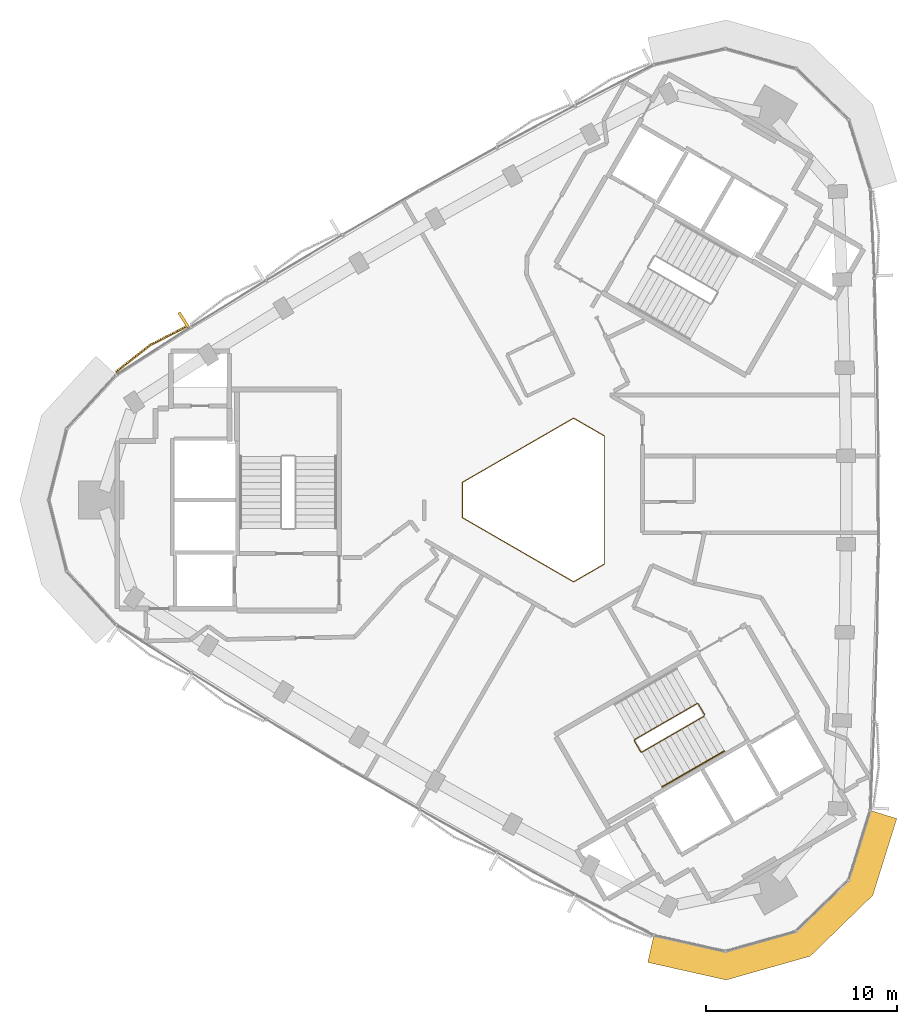
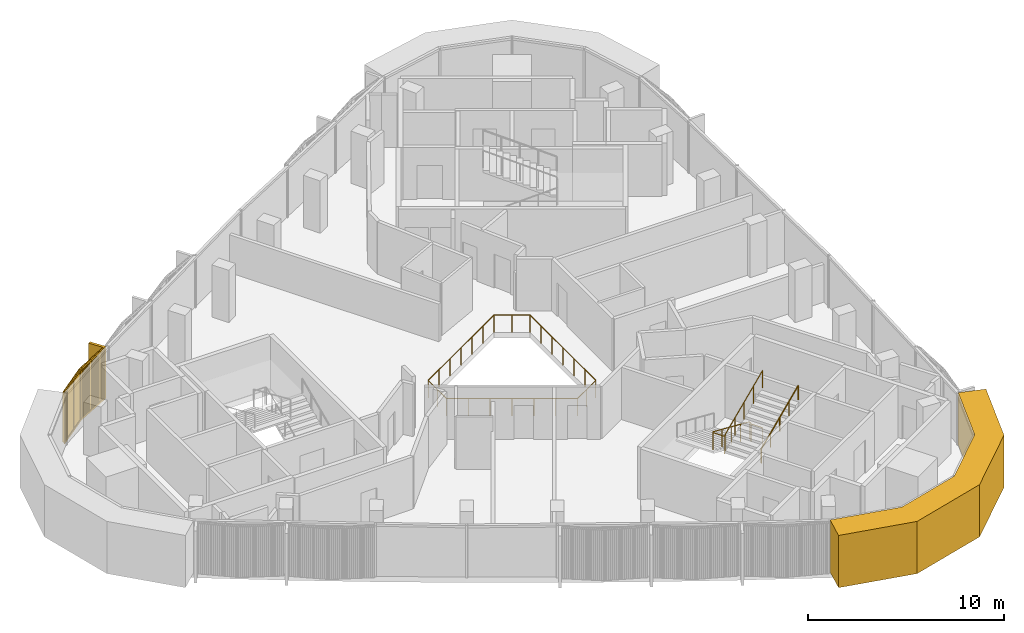
# One storey, part 11 of 12: 3 railings, 2 coverings.
"""IFC4 building model written with IfcOpenShell, lengths in metres."""

from ifc_helpers import new_model, si_unit, direction, frame, frame_2d, origin, origin_2d, place, context, subcontext, project, spatial, polyline, rectangle, circle, outline, extrude, source, transform, mapped, material, layer, layer_set, type_object, element, save


model = new_model("IFC4")

# Units and contexts
model_context = context("Model", 3, precision=1e-05, world=origin(), true_north=direction((0.0, 1.0)))
body_context = subcontext(model_context, "Body", "Model", "MODEL_VIEW")
ifc_project = project(units=[si_unit("LENGTHUNIT", "METRE"), si_unit("AREAUNIT", "SQUARE_METRE"), si_unit("VOLUMEUNIT", "CUBIC_METRE"), si_unit("PLANEANGLEUNIT", "RADIAN"), si_unit("MASSUNIT", "GRAM", prefix="KILO")], contexts=[model_context])

# Site, building, storey
site_placement = place(None, origin())
site = spatial("IfcSite", under=ifc_project, at=site_placement, CompositionType="ELEMENT")
building_placement = place(site_placement, origin())
building = spatial("IfcBuilding", under=site, at=building_placement, Name="Tamra Quay Hotel Tower", CompositionType="ELEMENT")
storey_placement = place(building_placement, frame((0.0, 0.0, 269.39990234375)))
storey = spatial("IfcBuildingStorey", under=building, at=storey_placement, Name="L68", CompositionType="ELEMENT", Elevation=269.39990234375)

# Covering
ifc_material_1 = material(Name="Precast concrete M60 terracotta-coloured", Category="masonry")
ifc_layer = layer(ifc_material_1, 1.449951171875)
ifc_layer_set = layer_set([ifc_layer], Name="CORNER PIER PANEL")
covering_type_1 = type_object("IfcCoveringType", Name="CORNER PIER PANEL", PredefinedType="CLADDING", material=ifc_layer_set)
covering_1_placement = place(storey_placement, origin())
element("IfcCovering", 1, at=covering_1_placement, inside=storey, type_object=covering_type_1, Name="Corner pier L68.south-west", PredefinedType="CLADDING", context=body_context, shape_type="SweptSolid", body=[
    extrude(outline(polyline([(5.58837890625, -22.740966796875), (5.271240234375, -24.15576171875), (9.366943359375, -25.07421875), (13.759521484375, -23.832275390625), (17.031494140625, -20.649169921875), (18.283935546875, -16.642822265625), (16.89990234375, -16.210205078125), (15.757080078125, -19.865966796875), (13.01171875, -22.536865234375), (9.325927734375, -23.5791015625), (5.58837890625, -22.740966796875)])), origin(), (0.0, 0.0, 1.0), 3.25),
])

# Railings
ifc_material_2 = material(Name="Guard atrium edge 1100")
railing_type_1 = type_object("IfcRailingType", Name="Guard atrium edge 1100", PredefinedType="GUARDRAIL", material=ifc_material_2)
railing_1_placement = place(storey_placement, frame((3.0, -3.34912109375, 0.0)))
element("IfcRailing", 2, at=railing_1_placement, inside=storey, type_object=railing_type_1, Name="G-A", PredefinedType="GUARDRAIL", context=body_context, shape_type="SweptSolid", body=[
    extrude(circle(Radius=0.02392578125, at=origin_2d()), frame((0.0, 0.0, 1.076171875), z_axis=(-0.866251590862, -0.499608027687, 0.0), x_axis=(0.499608027687, -0.866251590862, 0.0)), (0.0, 0.0, 1.0), 1.84716796875),
    extrude(circle(Radius=0.02392578125, at=origin_2d()), frame((-1.60009765625, -0.9228515625, 1.076171875), z_axis=(-0.866065387416, 0.499930739924, 0.0), x_axis=(-0.499930739924, -0.866065387416, 0.0)), (0.0, 0.0, 1.0), 6.69677734375),
    extrude(circle(Radius=0.02392578125, at=origin_2d()), frame((-7.39990234375, 2.425048828125, 1.076171875), z_axis=(0.0, 1.0, 0.0), x_axis=(-1.0, 0.0, 0.0)), (0.0, 0.0, 1.0), 1.84814453125),
    extrude(circle(Radius=0.02392578125, at=origin_2d()), frame((-7.39990234375, 4.273193359375, 1.076171875), z_axis=(0.866065387416, 0.499930739924, 0.0), x_axis=(-0.499930739924, 0.866065387416, 0.0)), (0.0, 0.0, 1.0), 6.69677734375),
    extrude(circle(Radius=0.02392578125, at=origin_2d()), frame((-1.60009765625, 7.62109375, 1.076171875), z_axis=(0.866251590862, -0.499608027687, 0.0), x_axis=(0.499608027687, 0.866251590862, 0.0)), (0.0, 0.0, 1.0), 1.84716796875),
    extrude(circle(Radius=0.02392578125, at=origin_2d()), frame((0.0, 6.6982421875, 1.076171875), z_axis=(0.0, -1.0, 0.0), x_axis=(1.0, 0.0, 0.0)), (0.0, 0.0, 1.0), 6.6982421875),
    extrude(circle(Radius=0.02099609375, at=origin_2d()), origin(), (0.0, 0.0, 1.0), 1.052001953125),
    extrude(circle(Radius=0.02099609375, at=origin_2d()), frame((-0.800048828125, -0.46142578125, 0.0)), (0.0, 0.0, 1.0), 1.052001953125),
    extrude(circle(Radius=0.02099609375, at=origin_2d()), frame((-1.60009765625, -0.9228515625, 0.0)), (0.0, 0.0, 1.0), 1.052001953125),
    extrude(circle(Radius=0.02099609375, at=origin_2d()), frame((-2.566650390625, -0.36474609375, 0.0)), (0.0, 0.0, 1.0), 1.052001953125),
    extrude(circle(Radius=0.02099609375, at=origin_2d()), frame((-3.533447265625, 0.193115234375, 0.0)), (0.0, 0.0, 1.0), 1.052001953125),
    extrude(circle(Radius=0.02099609375, at=origin_2d()), frame((-4.5, 0.7509765625, 0.0)), (0.0, 0.0, 1.0), 1.052001953125),
    extrude(circle(Radius=0.02099609375, at=origin_2d()), frame((-5.466552734375, 1.30908203125, 0.0)), (0.0, 0.0, 1.0), 1.052001953125),
    extrude(circle(Radius=0.02099609375, at=origin_2d()), frame((-6.433349609375, 1.8671875, 0.0)), (0.0, 0.0, 1.0), 1.052001953125),
    extrude(circle(Radius=0.02099609375, at=origin_2d()), frame((-7.39990234375, 2.425048828125, 0.0)), (0.0, 0.0, 1.0), 1.052001953125),
    extrude(circle(Radius=0.02099609375, at=origin_2d()), frame((-7.39990234375, 3.34912109375, 0.0)), (0.0, 0.0, 1.0), 1.052001953125),
    extrude(circle(Radius=0.02099609375, at=origin_2d()), frame((-7.39990234375, 4.273193359375, 0.0)), (0.0, 0.0, 1.0), 1.052001953125),
    extrude(circle(Radius=0.02099609375, at=origin_2d()), frame((-6.433349609375, 4.8310546875, 0.0)), (0.0, 0.0, 1.0), 1.052001953125),
    extrude(circle(Radius=0.02099609375, at=origin_2d()), frame((-5.466552734375, 5.38916015625, 0.0)), (0.0, 0.0, 1.0), 1.052001953125),
    extrude(circle(Radius=0.02099609375, at=origin_2d()), frame((-4.5, 5.947265625, 0.0)), (0.0, 0.0, 1.0), 1.052001953125),
    extrude(circle(Radius=0.02099609375, at=origin_2d()), frame((-3.533447265625, 6.505126953125, 0.0)), (0.0, 0.0, 1.0), 1.052001953125),
    extrude(circle(Radius=0.02099609375, at=origin_2d()), frame((-2.566650390625, 7.06298828125, 0.0)), (0.0, 0.0, 1.0), 1.052001953125),
    extrude(circle(Radius=0.02099609375, at=origin_2d()), frame((-1.60009765625, 7.62109375, 0.0)), (0.0, 0.0, 1.0), 1.052001953125),
    extrude(circle(Radius=0.02099609375, at=origin_2d()), frame((-0.800048828125, 7.15966796875, 0.0)), (0.0, 0.0, 1.0), 1.052001953125),
    extrude(circle(Radius=0.02099609375, at=origin_2d()), frame((0.0, 6.6982421875, 0.0)), (0.0, 0.0, 1.0), 1.052001953125),
    extrude(circle(Radius=0.02099609375, at=origin_2d()), frame((0.0, 5.581787109375, 0.0)), (0.0, 0.0, 1.0), 1.052001953125),
    extrude(circle(Radius=0.02099609375, at=origin_2d()), frame((0.0, 4.465576171875, 0.0)), (0.0, 0.0, 1.0), 1.052001953125),
    extrude(circle(Radius=0.02099609375, at=origin_2d()), frame((0.0, 3.34912109375, 0.0)), (0.0, 0.0, 1.0), 1.052001953125),
    extrude(circle(Radius=0.02099609375, at=origin_2d()), frame((0.0, 2.232666015625, 0.0)), (0.0, 0.0, 1.0), 1.052001953125),
    extrude(circle(Radius=0.02099609375, at=origin_2d()), frame((0.0, 1.116455078125, 0.0)), (0.0, 0.0, 1.0), 1.052001953125),
])
ifc_material_3 = material(Name="Stair guard 1100")
railing_type_2 = type_object("IfcRailingType", Name="Stair guard 1100", PredefinedType="GUARDRAIL", material=ifc_material_3)
railing_2_placement = place(storey_placement, frame((8.245849609375, -11.221923828125, 0.0)))
element("IfcRailing", 3, at=railing_2_placement, inside=storey, type_object=railing_type_2, Name="GR", PredefinedType="GUARDRAIL", context=body_context, shape_type="SweptSolid", body=[
    extrude(circle(Radius=0.02392578125, at=origin_2d()), frame((0.0, 0.0, 1.076171875), z_axis=(-0.500043078269, 0.866000531106, 0.0), x_axis=(-0.866000531106, -0.500043078269, 0.0)), (0.0, 0.0, 1.0), 0.6591796875),
    extrude(circle(Radius=0.02392578125, at=origin_2d()), frame((-0.32958984375, 0.57080078125, 1.076171875), z_axis=(-0.411831509231, 0.110312011401, 0.90455849349), x_axis=(-0.258736085224, -0.965948051503, 0.0)), (0.0, 0.0, 1.0), 0.166015625),
    extrude(circle(Radius=0.02392578125, at=origin_2d()), frame((-0.39794921875, 0.589111328125, 1.22607421875), z_axis=(-0.793100512587, -0.457912285461, 0.401631567183), x_axis=(0.500012686397, -0.866018079166, 0.0)), (0.0, 0.0, 1.0), 4.10791015625),
    extrude(circle(Radius=0.02392578125, at=origin_2d()), frame((-3.656005859375, -1.2919921875, 2.8759765625), z_axis=(-0.256368644879, -0.966579080015, 0.0), x_axis=(0.966579080015, -0.256368644879, 0.0)), (0.0, 0.0, 1.0), 0.070556640625),
    extrude(circle(Radius=0.02392578125, at=origin_2d()), frame((-3.674072265625, -1.360107421875, 2.8759765625), z_axis=(0.499765215335, -0.866160914346, 0.0), x_axis=(0.866160914346, 0.499765215335, 0.0)), (0.0, 0.0, 1.0), 0.658935546875),
    extrude(circle(Radius=0.02392578125, at=origin_2d()), frame((-3.3447265625, -1.930908203125, 2.8759765625), z_axis=(0.411831509231, -0.110312011401, 0.90455849349), x_axis=(0.258736085224, 0.965948051503, 0.0)), (0.0, 0.0, 1.0), 0.166015625),
    extrude(circle(Radius=0.02392578125, at=origin_2d()), frame((-3.2763671875, -1.94921875, 3.0263671875), z_axis=(0.793100512587, 0.457912285461, 0.401631567183), x_axis=(-0.500012686397, 0.866018079166, 0.0)), (0.0, 0.0, 1.0), 4.10791015625),
    extrude(circle(Radius=0.02099609375, at=origin_2d()), origin(), (0.0, 0.0, 1.0), 1.052001953125),
    extrude(circle(Radius=0.02099609375, at=origin_2d()), frame((-0.32958984375, 0.57080078125, 0.0)), (0.0, 0.0, 1.0), 1.052001953125),
    extrude(circle(Radius=0.02099609375, at=origin_2d()), frame((-0.39794921875, 0.589111328125, 0.150146484375)), (0.0, 0.0, 1.0), 1.052001953125),
    extrude(circle(Radius=0.02099609375, at=origin_2d()), frame((-1.21240234375, 0.118896484375, 0.5625)), (0.0, 0.0, 1.0), 1.052001953125),
    extrude(circle(Radius=0.02099609375, at=origin_2d()), frame((-2.02685546875, -0.3515625, 0.97509765625)), (0.0, 0.0, 1.0), 1.052001953125),
    extrude(circle(Radius=0.02099609375, at=origin_2d()), frame((-2.841552734375, -0.82177734375, 1.3876953125)), (0.0, 0.0, 1.0), 1.052001953125),
    extrude(circle(Radius=0.02099609375, at=origin_2d()), frame((-3.656005859375, -1.2919921875, 1.800048828125)), (0.0, 0.0, 1.0), 1.052001953125),
    extrude(circle(Radius=0.02099609375, at=origin_2d()), frame((-3.674072265625, -1.360107421875, 1.800048828125)), (0.0, 0.0, 1.0), 1.052001953125),
    extrude(circle(Radius=0.02099609375, at=origin_2d()), frame((-3.3447265625, -1.930908203125, 1.800048828125)), (0.0, 0.0, 1.0), 1.052001953125),
    extrude(circle(Radius=0.02099609375, at=origin_2d()), frame((-3.2763671875, -1.94921875, 1.9501953125)), (0.0, 0.0, 1.0), 1.052001953125),
    extrude(circle(Radius=0.02099609375, at=origin_2d()), frame((-2.4619140625, -1.47900390625, 2.36279296875)), (0.0, 0.0, 1.0), 1.052001953125),
    extrude(circle(Radius=0.02099609375, at=origin_2d()), frame((-1.6474609375, -1.0087890625, 2.775146484375)), (0.0, 0.0, 1.0), 1.052001953125),
    extrude(circle(Radius=0.02099609375, at=origin_2d()), frame((-0.832763671875, -0.538330078125, 3.1875)), (0.0, 0.0, 1.0), 1.052001953125),
    extrude(circle(Radius=0.02099609375, at=origin_2d()), frame((-0.018310546875, -0.068115234375, 3.60009765625)), (0.0, 0.0, 1.0), 1.052001953125),
])
ifc_material_4 = material(Name="Stair handrail 900")
railing_type_3 = type_object("IfcRailingType", Name="Stair handrail 900", PredefinedType="HANDRAIL", material=ifc_material_4)
railing_3_placement = place(storey_placement, frame((6.01953125, -14.98974609375, 1.9501953125)))
element("IfcRailing", 4, at=railing_3_placement, inside=storey, type_object=railing_type_3, Name="HR", PredefinedType="HANDRAIL", context=body_context, shape_type="SweptSolid", body=[
    extrude(circle(Radius=0.02392578125, at=origin_2d()), frame((0.0, 0.0, 0.8759765625), z_axis=(0.79310004713, 0.457886897714, 0.401661429744), x_axis=(-0.499992114976, 0.866029956157, 0.0)), (0.0, 0.0, 1.0), 4.107666015625),
    extrude(circle(Radius=0.02099609375, at=origin_2d()), origin(), (0.0, 0.0, 1.0), 0.851806640625),
    extrude(circle(Radius=0.02099609375, at=origin_2d()), frame((0.814453125, 0.47021484375, 0.41259765625)), (0.0, 0.0, 1.0), 0.851806640625),
    extrude(circle(Radius=0.02099609375, at=origin_2d()), frame((1.62890625, 0.9404296875, 0.824951171875)), (0.0, 0.0, 1.0), 0.851806640625),
    extrude(circle(Radius=0.02099609375, at=origin_2d()), frame((2.443359375, 1.41064453125, 1.2373046875)), (0.0, 0.0, 1.0), 0.851806640625),
    extrude(circle(Radius=0.02099609375, at=origin_2d()), frame((3.2578125, 1.880859375, 1.64990234375)), (0.0, 0.0, 1.0), 0.851806640625),
])

# Covering
ifc_material_5 = material(Name="Terracotta baguette extruded", Category="masonry")
covering_type_2 = type_object("IfcCoveringType", Name="BAGUETTE SCREEN NW-V H3250", PredefinedType="USERDEFINED", material=ifc_material_5)
shared_shape = source(origin(), body_context, "Body", "SweptSolid", [
    extrude(rectangle(XDim=2.282958984375, YDim=0.06005859375, at=frame_2d((1.1416015625, 0.030029296875))), frame((-2.2783203125, -0.0576171875, -0.1201171875), z_axis=(0.0, 0.0, 1.0), x_axis=(0.995396198367, -0.09584575252, 0.0)), (0.0, 0.0, 1.0), 0.1201171875),
    extrude(rectangle(XDim=2.282958984375, YDim=0.06005859375, at=frame_2d((1.1416015625, 0.030029296875))), frame((-2.2783203125, -0.0576171875, -3.25), z_axis=(0.0, 0.0, 1.0), x_axis=(0.995396198367, -0.09584575252, 0.0)), (0.0, 0.0, 1.0), 0.1201171875),
    extrude(rectangle(XDim=0.070068359375, YDim=0.10009765625, at=frame_2d((0.03515625, 0.050048828125))), frame((-2.258056640625, -0.1328125, -3.18994140625)), (0.0, 0.0, 1.0), 3.1298828125),
    extrude(rectangle(XDim=0.070068359375, YDim=0.10009765625, at=frame_2d((0.03515625, 0.050048828125))), frame((-2.1591796875, -0.142333984375, -3.18994140625)), (0.0, 0.0, 1.0), 3.1298828125),
    extrude(rectangle(XDim=0.070068359375, YDim=0.10009765625, at=frame_2d((0.03515625, 0.050048828125))), frame((-2.060546875, -0.15185546875, -3.18994140625)), (0.0, 0.0, 1.0), 3.1298828125),
    extrude(rectangle(XDim=0.070068359375, YDim=0.10009765625, at=frame_2d((0.03515625, 0.050048828125))), frame((-1.961669921875, -0.161376953125, -3.18994140625)), (0.0, 0.0, 1.0), 3.1298828125),
    extrude(rectangle(XDim=0.070068359375, YDim=0.10009765625, at=frame_2d((0.03515625, 0.050048828125))), frame((-1.86279296875, -0.1708984375, -3.18994140625)), (0.0, 0.0, 1.0), 3.1298828125),
    extrude(rectangle(XDim=0.070068359375, YDim=0.10009765625, at=frame_2d((0.03515625, 0.050048828125))), frame((-1.76416015625, -0.180419921875, -3.18994140625)), (0.0, 0.0, 1.0), 3.1298828125),
    extrude(rectangle(XDim=0.070068359375, YDim=0.10009765625, at=frame_2d((0.03515625, 0.050048828125))), frame((-1.665283203125, -0.18994140625, -3.18994140625)), (0.0, 0.0, 1.0), 3.1298828125),
    extrude(rectangle(XDim=0.070068359375, YDim=0.10009765625, at=frame_2d((0.03515625, 0.050048828125))), frame((-1.56640625, -0.199462890625, -3.18994140625)), (0.0, 0.0, 1.0), 3.1298828125),
    extrude(rectangle(XDim=0.070068359375, YDim=0.10009765625, at=frame_2d((0.03515625, 0.050048828125))), frame((-1.4677734375, -0.208984375, -3.18994140625)), (0.0, 0.0, 1.0), 3.1298828125),
    extrude(rectangle(XDim=0.070068359375, YDim=0.10009765625, at=frame_2d((0.03515625, 0.050048828125))), frame((-1.368896484375, -0.21826171875, -3.18994140625)), (0.0, 0.0, 1.0), 3.1298828125),
    extrude(rectangle(XDim=0.070068359375, YDim=0.10009765625, at=frame_2d((0.03515625, 0.050048828125))), frame((-1.27001953125, -0.227783203125, -3.18994140625)), (0.0, 0.0, 1.0), 3.1298828125),
    extrude(rectangle(XDim=0.070068359375, YDim=0.10009765625, at=frame_2d((0.03515625, 0.050048828125))), frame((-1.171142578125, -0.2373046875, -3.18994140625)), (0.0, 0.0, 1.0), 3.1298828125),
    extrude(rectangle(XDim=0.070068359375, YDim=0.10009765625, at=frame_2d((0.03515625, 0.050048828125))), frame((-1.072509765625, -0.246826171875, -3.18994140625)), (0.0, 0.0, 1.0), 3.1298828125),
    extrude(rectangle(XDim=0.070068359375, YDim=0.10009765625, at=frame_2d((0.03515625, 0.050048828125))), frame((-0.9736328125, -0.25634765625, -3.18994140625)), (0.0, 0.0, 1.0), 3.1298828125),
    extrude(rectangle(XDim=0.070068359375, YDim=0.10009765625, at=frame_2d((0.03515625, 0.050048828125))), frame((-0.874755859375, -0.265869140625, -3.18994140625)), (0.0, 0.0, 1.0), 3.1298828125),
    extrude(rectangle(XDim=0.070068359375, YDim=0.10009765625, at=frame_2d((0.03515625, 0.050048828125))), frame((-0.776123046875, -0.275390625, -3.18994140625)), (0.0, 0.0, 1.0), 3.1298828125),
    extrude(rectangle(XDim=0.070068359375, YDim=0.10009765625, at=frame_2d((0.03515625, 0.050048828125))), frame((-0.67724609375, -0.284912109375, -3.18994140625)), (0.0, 0.0, 1.0), 3.1298828125),
    extrude(rectangle(XDim=0.070068359375, YDim=0.10009765625, at=frame_2d((0.03515625, 0.050048828125))), frame((-0.578369140625, -0.29443359375, -3.18994140625)), (0.0, 0.0, 1.0), 3.1298828125),
    extrude(rectangle(XDim=0.070068359375, YDim=0.10009765625, at=frame_2d((0.03515625, 0.050048828125))), frame((-0.479736328125, -0.303955078125, -3.18994140625)), (0.0, 0.0, 1.0), 3.1298828125),
    extrude(rectangle(XDim=0.070068359375, YDim=0.10009765625, at=frame_2d((0.03515625, 0.050048828125))), frame((-0.380859375, -0.3134765625, -3.18994140625)), (0.0, 0.0, 1.0), 3.1298828125),
    extrude(rectangle(XDim=0.070068359375, YDim=0.10009765625, at=frame_2d((0.03515625, 0.050048828125))), frame((-0.281982421875, -0.322998046875, -3.18994140625)), (0.0, 0.0, 1.0), 3.1298828125),
    extrude(rectangle(XDim=0.070068359375, YDim=0.10009765625, at=frame_2d((0.03515625, 0.050048828125))), frame((-0.18310546875, -0.33251953125, -3.18994140625)), (0.0, 0.0, 1.0), 3.1298828125),
    extrude(rectangle(XDim=0.070068359375, YDim=0.10009765625, at=frame_2d((0.03515625, 0.050048828125))), frame((-0.08447265625, -0.342041015625, -3.18994140625)), (0.0, 0.0, 1.0), 3.1298828125),
    extrude(rectangle(XDim=2.282958984375, YDim=0.06005859375, at=frame_2d((1.1416015625, 0.030029296875))), frame((0.005859375, -0.276611328125, -0.1201171875), z_axis=(0.0, 0.0, 1.0), x_axis=(0.995396198367, 0.09584575252, 0.0)), (0.0, 0.0, 1.0), 0.1201171875),
    extrude(rectangle(XDim=2.282958984375, YDim=0.06005859375, at=frame_2d((1.1416015625, 0.030029296875))), frame((0.005859375, -0.276611328125, -3.25), z_axis=(0.0, 0.0, 1.0), x_axis=(0.995396198367, 0.09584575252, 0.0)), (0.0, 0.0, 1.0), 0.1201171875),
    extrude(rectangle(XDim=0.070068359375, YDim=0.10009765625, at=frame_2d((0.03515625, 0.050048828125))), frame((0.014404296875, -0.342041015625, -3.18994140625)), (0.0, 0.0, 1.0), 3.1298828125),
    extrude(rectangle(XDim=0.070068359375, YDim=0.10009765625, at=frame_2d((0.03515625, 0.050048828125))), frame((0.11328125, -0.33251953125, -3.18994140625)), (0.0, 0.0, 1.0), 3.1298828125),
    extrude(rectangle(XDim=0.070068359375, YDim=0.10009765625, at=frame_2d((0.03515625, 0.050048828125))), frame((0.2119140625, -0.322998046875, -3.18994140625)), (0.0, 0.0, 1.0), 3.1298828125),
    extrude(rectangle(XDim=0.070068359375, YDim=0.10009765625, at=frame_2d((0.03515625, 0.050048828125))), frame((0.310791015625, -0.3134765625, -3.18994140625)), (0.0, 0.0, 1.0), 3.1298828125),
    extrude(rectangle(XDim=0.070068359375, YDim=0.10009765625, at=frame_2d((0.03515625, 0.050048828125))), frame((0.40966796875, -0.303955078125, -3.18994140625)), (0.0, 0.0, 1.0), 3.1298828125),
    extrude(rectangle(XDim=0.070068359375, YDim=0.10009765625, at=frame_2d((0.03515625, 0.050048828125))), frame((0.50830078125, -0.29443359375, -3.18994140625)), (0.0, 0.0, 1.0), 3.1298828125),
    extrude(rectangle(XDim=0.070068359375, YDim=0.10009765625, at=frame_2d((0.03515625, 0.050048828125))), frame((0.607177734375, -0.284912109375, -3.18994140625)), (0.0, 0.0, 1.0), 3.1298828125),
    extrude(rectangle(XDim=0.070068359375, YDim=0.10009765625, at=frame_2d((0.03515625, 0.050048828125))), frame((0.7060546875, -0.275390625, -3.18994140625)), (0.0, 0.0, 1.0), 3.1298828125),
    extrude(rectangle(XDim=0.070068359375, YDim=0.10009765625, at=frame_2d((0.03515625, 0.050048828125))), frame((0.804931640625, -0.265869140625, -3.18994140625)), (0.0, 0.0, 1.0), 3.1298828125),
    extrude(rectangle(XDim=0.070068359375, YDim=0.10009765625, at=frame_2d((0.03515625, 0.050048828125))), frame((0.903564453125, -0.25634765625, -3.18994140625)), (0.0, 0.0, 1.0), 3.1298828125),
    extrude(rectangle(XDim=0.070068359375, YDim=0.10009765625, at=frame_2d((0.03515625, 0.050048828125))), frame((1.00244140625, -0.246826171875, -3.18994140625)), (0.0, 0.0, 1.0), 3.1298828125),
    extrude(rectangle(XDim=0.070068359375, YDim=0.10009765625, at=frame_2d((0.03515625, 0.050048828125))), frame((1.101318359375, -0.2373046875, -3.18994140625)), (0.0, 0.0, 1.0), 3.1298828125),
    extrude(rectangle(XDim=0.070068359375, YDim=0.10009765625, at=frame_2d((0.03515625, 0.050048828125))), frame((1.199951171875, -0.227783203125, -3.18994140625)), (0.0, 0.0, 1.0), 3.1298828125),
    extrude(rectangle(XDim=0.070068359375, YDim=0.10009765625, at=frame_2d((0.03515625, 0.050048828125))), frame((1.298828125, -0.21826171875, -3.18994140625)), (0.0, 0.0, 1.0), 3.1298828125),
    extrude(rectangle(XDim=0.070068359375, YDim=0.10009765625, at=frame_2d((0.03515625, 0.050048828125))), frame((1.397705078125, -0.208984375, -3.18994140625)), (0.0, 0.0, 1.0), 3.1298828125),
    extrude(rectangle(XDim=0.070068359375, YDim=0.10009765625, at=frame_2d((0.03515625, 0.050048828125))), frame((1.49658203125, -0.199462890625, -3.18994140625)), (0.0, 0.0, 1.0), 3.1298828125),
    extrude(rectangle(XDim=0.070068359375, YDim=0.10009765625, at=frame_2d((0.03515625, 0.050048828125))), frame((1.59521484375, -0.18994140625, -3.18994140625)), (0.0, 0.0, 1.0), 3.1298828125),
    extrude(rectangle(XDim=0.070068359375, YDim=0.10009765625, at=frame_2d((0.03515625, 0.050048828125))), frame((1.694091796875, -0.180419921875, -3.18994140625)), (0.0, 0.0, 1.0), 3.1298828125),
    extrude(rectangle(XDim=0.070068359375, YDim=0.10009765625, at=frame_2d((0.03515625, 0.050048828125))), frame((1.79296875, -0.1708984375, -3.18994140625)), (0.0, 0.0, 1.0), 3.1298828125),
    extrude(rectangle(XDim=0.070068359375, YDim=0.10009765625, at=frame_2d((0.03515625, 0.050048828125))), frame((1.8916015625, -0.161376953125, -3.18994140625)), (0.0, 0.0, 1.0), 3.1298828125),
    extrude(rectangle(XDim=0.070068359375, YDim=0.10009765625, at=frame_2d((0.03515625, 0.050048828125))), frame((1.990478515625, -0.15185546875, -3.18994140625)), (0.0, 0.0, 1.0), 3.1298828125),
    extrude(rectangle(XDim=0.070068359375, YDim=0.10009765625, at=frame_2d((0.03515625, 0.050048828125))), frame((2.08935546875, -0.142333984375, -3.18994140625)), (0.0, 0.0, 1.0), 3.1298828125),
    extrude(rectangle(XDim=0.070068359375, YDim=0.10009765625, at=frame_2d((0.03515625, 0.050048828125))), frame((2.18798828125, -0.1328125, -3.18994140625)), (0.0, 0.0, 1.0), 3.1298828125),
    extrude(rectangle(XDim=0.14990234375, YDim=0.902099609375, at=frame_2d((0.074951171875, 0.451171875))), frame((-2.2724609375, -0.89990234375, -3.25)), (0.0, 0.0, 1.0), 3.25),
])
covering_2_placement = place(storey_placement, frame((-20.580322265625, 7.84765625, 3.25), z_axis=(0.0, 0.0, 1.0), x_axis=(-0.841664986899, -0.540000046137, 0.0)))
element("IfcCovering", 5, at=covering_2_placement, inside=storey, type_object=covering_type_2, Name="Baguette screen L68.NW.f06", ObjectType="BAGUETTE SCREEN", PredefinedType="USERDEFINED", context=body_context, shape_type="MappedRepresentation", body=[
    mapped(shared_shape, transform((0.0, 0.0, 0.0), scale=1.0)),
])

save(model, "model.ifc")
